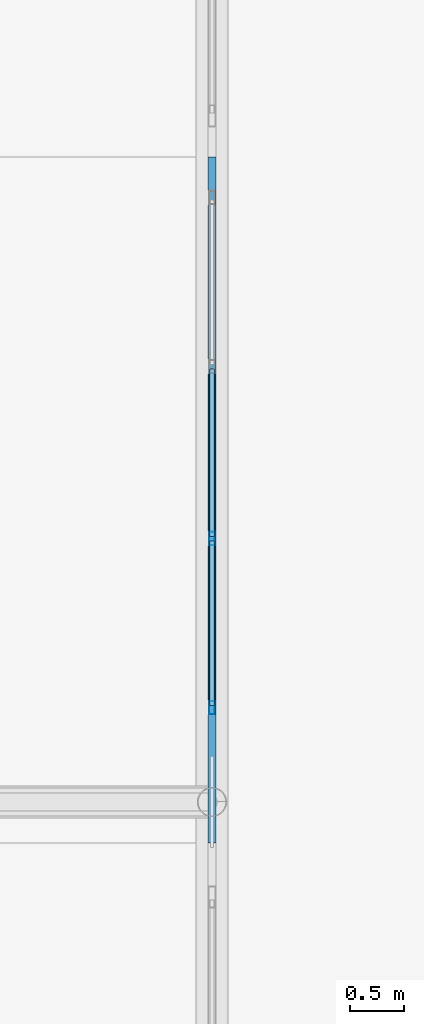
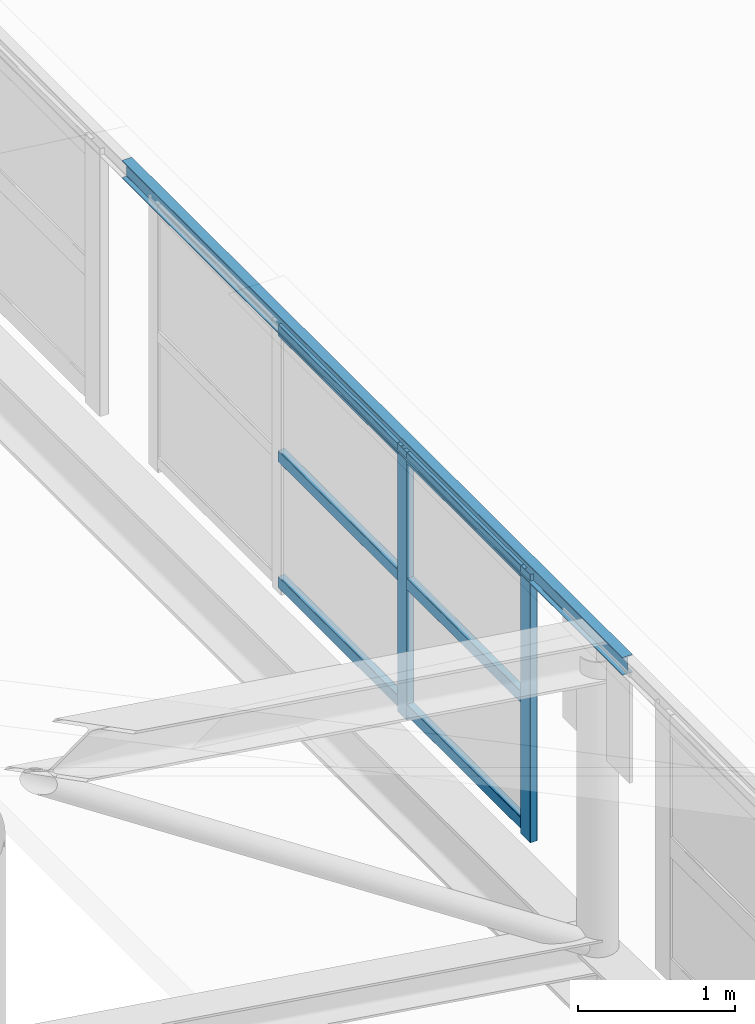
# One storey, part 101 of 262: 9 members, 1 element without a shape of its own.
"""IFC4 building model written with IfcOpenShell, lengths in metres."""

from ifc_helpers import new_model, si_unit, derived_unit, direction, frame, origin, origin_2d, place, context, subcontext, project, spatial, hollow_rectangle, i_section, extrude, material, layer, layer_set, material_profile, profile_set, type_object, element, aggregate, save


model = new_model("IFC4")

# Units and contexts
model_context = context("Model", 3, precision=1e-05, world=origin(), true_north=direction((0.0, 1.0)))
body_context = subcontext(model_context, "Body", "Model", "MODEL_VIEW")
ifc_project = project(units=[si_unit("LENGTHUNIT", "METRE"), si_unit("AREAUNIT", "SQUARE_METRE"), si_unit("VOLUMEUNIT", "CUBIC_METRE"), si_unit("PLANEANGLEUNIT", "RADIAN"), si_unit("MASSUNIT", "GRAM", prefix="KILO"), derived_unit("THERMALTRANSMITTANCEUNIT", [(si_unit("POWERUNIT", "WATT"), 1), (si_unit("LENGTHUNIT", "METRE"), -2), (si_unit("THERMODYNAMICTEMPERATUREUNIT", "KELVIN"), -1)])], contexts=[model_context])

# Site, building, storey
site_placement = place(None, origin())
site = spatial("IfcSite", under=ifc_project, at=site_placement, CompositionType="ELEMENT")
building_placement = place(site_placement, origin())
building = spatial("IfcBuilding", under=site, at=building_placement, Name="Almenara Railside Exhibition Hall", CompositionType="ELEMENT")
storey_placement = place(building_placement, frame((0.0, 0.0, 21.699951171875)))
storey = spatial("IfcBuildingStorey", under=building, at=storey_placement, Name="RF", CompositionType="ELEMENT", Elevation=21.699951171875)

# Member
ifc_material_1 = material(Name="Structural steel S355JR", Category="steel")
ifc_material_profile_1 = material_profile(ifc_material_1, i_section(OverallWidth=0.072998046875, OverallDepth=0.139892578125, WebThickness=0.004638671875, FlangeThickness=0.0068359375, FilletRadius=0.007080078125, at=origin_2d()), Name="IPE 140")
ifc_profile_set_1 = profile_set([ifc_material_profile_1], Name="Structural steel S355JR")
member_type_1 = type_object("IfcMemberType", Name="Canopy Edge Purlin IPE 140 S355JR", PredefinedType="PURLIN", material=ifc_profile_set_1)
member_1_placement = place(storey_placement, frame((66.0, 83.6201171875, 0.0146484375), z_axis=(0.0, 1.0, 0.0), x_axis=(-1.0, 0.0, 0.0)))
element("IfcMember", 1, at=member_1_placement, inside=storey, type_object=member_type_1, Name="MEM-PR-V1-PR-IPE140-08-13", PredefinedType="PURLIN", context=body_context, shape_type="SweptSolid", body=[
    extrude(i_section(OverallWidth=0.072998046875, OverallDepth=0.139892578125, WebThickness=0.004638671875, FlangeThickness=0.0068359375, FilletRadius=0.007080078125, at=origin_2d()), origin(), (0.0, 0.0, 1.0), 6.3798828125),
])

# Curtain wall, members
ifc_material_2 = material(Name="Bronze-anodised aluminium and low-E double glazing", Category="aluminium")
ifc_layer = layer(ifc_material_2, 0.179931640625, Name="Bronze-anodised aluminium and low-E double glazing")
ifc_layer_set = layer_set([ifc_layer], Name="Bronze-anodised aluminium and low-E double glazing")
curtain_wall_type = type_object("IfcCurtainWallType", Name="West Hall Clerestory Curtain Wall 4200x2400", PredefinedType="NOTDEFINED", material=ifc_layer_set)
curtain_wall_placement = place(storey_placement, origin())
curtain_wall = element("IfcCurtainWall", 2, at=curtain_wall_placement, inside=storey, type_object=curtain_wall_type, Name="Curtain wall CW-CL1-182", PredefinedType="NOTDEFINED")
ifc_material_3 = material(Name="Bronze-anodised aluminium", Category="aluminium")
ifc_material_profile_2 = material_profile(ifc_material_3, hollow_rectangle(XDim=0.054931640625, YDim=0.125, WallThickness=0.0029296875, InnerFilletRadius=0.0029296875, OuterFilletRadius=0.006103515625, at=origin_2d()), Name="ALU-MUL 55x125x3")
ifc_profile_set_2 = profile_set([ifc_material_profile_2], Name="Bronze-anodised aluminium")
member_type_2 = type_object("IfcMemberType", Name="Curtain Wall Mullion 55x125x3", PredefinedType="MULLION", material=ifc_profile_set_2)
member_2_placement = place(storey_placement, frame((66.0, 84.87744140625, -2.0849609375), z_axis=(0.0, 0.0, 1.0), x_axis=(-1.0, 0.0, 0.0)))
member_2 = element("IfcMember", 3, at=member_2_placement, type_object=member_type_2, Name="CW-CL1-182 mullion 1", PredefinedType="MULLION", context=body_context, shape_type="SweptSolid", body=[
    extrude(hollow_rectangle(XDim=0.054931640625, YDim=0.125, WallThickness=0.0029296875, InnerFilletRadius=0.0029296875, OuterFilletRadius=0.006103515625, at=origin_2d()), origin(), (0.0, 0.0, 1.0), 2.0849609375),
])
member_3_placement = place(storey_placement, frame((66.0, 86.449951171875, -2.0849609375), z_axis=(0.0, 0.0, 1.0), x_axis=(-1.0, 0.0, 0.0)))
member_3 = element("IfcMember", 4, at=member_3_placement, type_object=member_type_2, Name="CW-CL1-182 mullion 2", PredefinedType="MULLION", context=body_context, shape_type="SweptSolid", body=[
    extrude(hollow_rectangle(XDim=0.054931640625, YDim=0.125, WallThickness=0.0029296875, InnerFilletRadius=0.0029296875, OuterFilletRadius=0.006103515625, at=origin_2d()), origin(), (0.0, 0.0, 1.0), 2.0849609375),
])
ifc_material_profile_3 = material_profile(ifc_material_3, hollow_rectangle(XDim=0.054931640625, YDim=0.090087890625, WallThickness=0.0029296875, InnerFilletRadius=0.0029296875, OuterFilletRadius=0.006103515625, at=origin_2d()), Name="ALU-TRN 55x90x3")
ifc_profile_set_3 = profile_set([ifc_material_profile_3], Name="Bronze-anodised aluminium")
member_type_3 = type_object("IfcMemberType", Name="Curtain Wall Transom 55x90x3", PredefinedType="USERDEFINED", material=ifc_profile_set_3)
member_4_placement = place(storey_placement, frame((66.0, 84.89697265625, -2.0048828125), z_axis=(0.0, 1.0, 0.0), x_axis=(-1.0, 0.0, 0.0)))
member_4 = element("IfcMember", 5, at=member_4_placement, type_object=member_type_3, Name="CW-CL1-182 transom 1.1", ObjectType="TRANSOM", PredefinedType="USERDEFINED", context=body_context, shape_type="SweptSolid", body=[
    extrude(hollow_rectangle(XDim=0.054931640625, YDim=0.090087890625, WallThickness=0.0029296875, InnerFilletRadius=0.0029296875, OuterFilletRadius=0.006103515625, at=origin_2d()), origin(), (0.0, 0.0, 1.0), 1.533447265625),
])
member_5_placement = place(storey_placement, frame((66.0, 84.89697265625, -1.02490234375), z_axis=(0.0, 1.0, 0.0), x_axis=(-1.0, 0.0, 0.0)))
member_5 = element("IfcMember", 6, at=member_5_placement, type_object=member_type_3, Name="CW-CL1-182 transom 1.2", ObjectType="TRANSOM", PredefinedType="USERDEFINED", context=body_context, shape_type="SweptSolid", body=[
    extrude(hollow_rectangle(XDim=0.054931640625, YDim=0.090087890625, WallThickness=0.0029296875, InnerFilletRadius=0.0029296875, OuterFilletRadius=0.006103515625, at=origin_2d()), origin(), (0.0, 0.0, 1.0), 1.533447265625),
])
member_6_placement = place(storey_placement, frame((66.0, 84.89697265625, -0.044921875), z_axis=(0.0, 1.0, 0.0), x_axis=(-1.0, 0.0, 0.0)))
member_6 = element("IfcMember", 7, at=member_6_placement, type_object=member_type_3, Name="CW-CL1-182 transom 1.3", ObjectType="TRANSOM", PredefinedType="USERDEFINED", context=body_context, shape_type="SweptSolid", body=[
    extrude(hollow_rectangle(XDim=0.054931640625, YDim=0.090087890625, WallThickness=0.0029296875, InnerFilletRadius=0.0029296875, OuterFilletRadius=0.006103515625, at=origin_2d()), origin(), (0.0, 0.0, 1.0), 1.533447265625),
])
member_7_placement = place(storey_placement, frame((66.0, 86.469482421875, -2.0048828125), z_axis=(0.0, 1.0, 0.0), x_axis=(-1.0, 0.0, 0.0)))
member_7 = element("IfcMember", 8, at=member_7_placement, type_object=member_type_3, Name="CW-CL1-182 transom 2.1", ObjectType="TRANSOM", PredefinedType="USERDEFINED", context=body_context, shape_type="SweptSolid", body=[
    extrude(hollow_rectangle(XDim=0.054931640625, YDim=0.090087890625, WallThickness=0.0029296875, InnerFilletRadius=0.0029296875, OuterFilletRadius=0.006103515625, at=origin_2d()), origin(), (0.0, 0.0, 1.0), 1.56103515625),
])
member_8_placement = place(storey_placement, frame((66.0, 86.469482421875, -1.02490234375), z_axis=(0.0, 1.0, 0.0), x_axis=(-1.0, 0.0, 0.0)))
member_8 = element("IfcMember", 9, at=member_8_placement, type_object=member_type_3, Name="CW-CL1-182 transom 2.2", ObjectType="TRANSOM", PredefinedType="USERDEFINED", context=body_context, shape_type="SweptSolid", body=[
    extrude(hollow_rectangle(XDim=0.054931640625, YDim=0.090087890625, WallThickness=0.0029296875, InnerFilletRadius=0.0029296875, OuterFilletRadius=0.006103515625, at=origin_2d()), origin(), (0.0, 0.0, 1.0), 1.56103515625),
])
member_9_placement = place(storey_placement, frame((66.0, 86.469482421875, -0.044921875), z_axis=(0.0, 1.0, 0.0), x_axis=(-1.0, 0.0, 0.0)))
member_9 = element("IfcMember", 10, at=member_9_placement, type_object=member_type_3, Name="CW-CL1-182 transom 2.3", ObjectType="TRANSOM", PredefinedType="USERDEFINED", context=body_context, shape_type="SweptSolid", body=[
    extrude(hollow_rectangle(XDim=0.054931640625, YDim=0.090087890625, WallThickness=0.0029296875, InnerFilletRadius=0.0029296875, OuterFilletRadius=0.006103515625, at=origin_2d()), origin(), (0.0, 0.0, 1.0), 1.56103515625),
])
aggregate(curtain_wall, [member_2, member_3, member_4, member_5, member_6, member_7, member_8, member_9])

save(model, "model.ifc")
